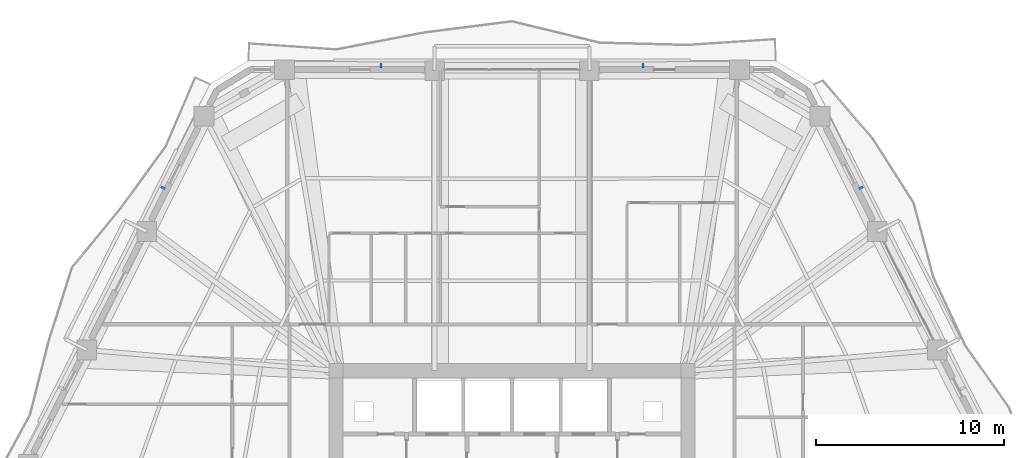
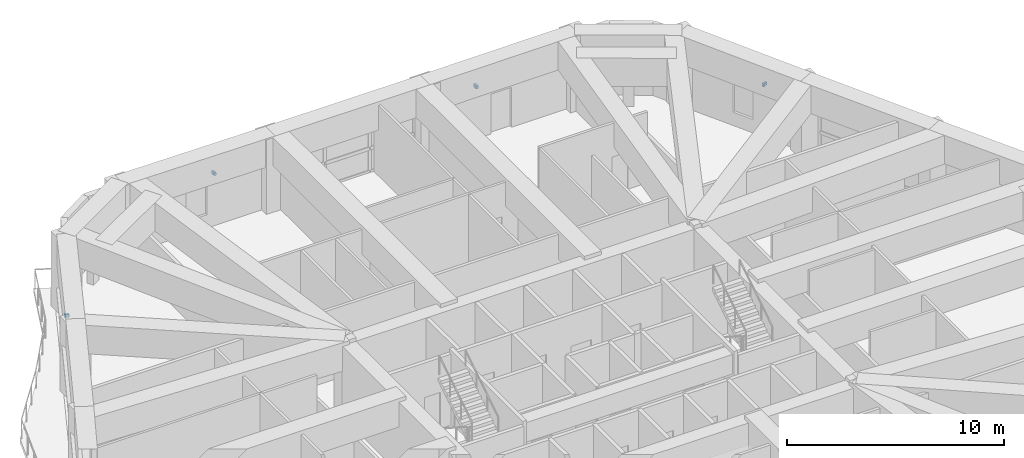
# One storey, part 19 of 23: 4 discrete accessories.
"""IFC4 building model written with IfcOpenShell, lengths in metres."""

from ifc_helpers import new_model, si_unit, direction, frame, origin, origin_2d, place, context, subcontext, project, spatial, rectangle, extrude, material, type_object, element, save


model = new_model("IFC4")

# Units and contexts
model_context = context("Model", 3, precision=1e-05, world=origin(), true_north=direction((0.0, 1.0)))
body_context = subcontext(model_context, "Body", "Model", "MODEL_VIEW")
ifc_project = project(units=[si_unit("LENGTHUNIT", "METRE"), si_unit("AREAUNIT", "SQUARE_METRE"), si_unit("VOLUMEUNIT", "CUBIC_METRE"), si_unit("PLANEANGLEUNIT", "RADIAN"), si_unit("MASSUNIT", "GRAM", prefix="KILO")], contexts=[model_context])

# Site, building, storey
site_placement = place(None, origin())
site = spatial("IfcSite", under=ifc_project, at=site_placement, CompositionType="ELEMENT")
building_placement = place(site_placement, origin())
building = spatial("IfcBuilding", under=site, at=building_placement, Name="Cinnabar Lancet Tower", CompositionType="ELEMENT")
storey_placement = place(building_placement, frame((0.0, 0.0, 94.199951171875)))
storey = spatial("IfcBuildingStorey", under=building, at=storey_placement, Name="L24", CompositionType="ELEMENT", Elevation=94.199951171875)

# Discrete accessories
ifc_material = material(Name="Stainless steel 316 facade fixing bracket", Category="steel")
discrete_accessory_type = type_object("IfcDiscreteAccessoryType", Name="ENV-ACC-BRK-180", PredefinedType="BRACKET", material=ifc_material)
for number, where, z_axis, x_axis, name in (
    (1, (50.986083984375, 43.014892578125, 2.60009765625), (0.0, 0.0, 1.0), (-0.451500573218, 0.892270829056, 0.0), "L24 Face 3 Sunshade Bracket B"),
    (2, (39.382080078125, 49.530029296875, 2.60009765625), (0.0, 0.0, 1.0), (-1.0, 0.0, 0.0), "L24 Face 4 Sunshade Bracket A"),
    (3, (25.41796875, 49.530029296875, 2.60009765625), (0.0, 0.0, 1.0), (-1.0, 0.0, 0.0), "L24 Face 4 Sunshade Bracket B"),
    (4, (13.81396484375, 43.014892578125, 2.60009765625), (0.0, 0.0, 1.0), (-0.451500573218, -0.892270829056, 0.0), "L24 Face 5 Sunshade Bracket A"),
):
    element("IfcDiscreteAccessory", number, at=place(storey_placement, frame(where, z_axis=z_axis, x_axis=x_axis)), inside=storey, type_object=discrete_accessory_type, Name=name, PredefinedType="BRACKET", context=body_context, shape_type="SweptSolid", body=[
        extrude(rectangle(XDim=0.1201171875, YDim=0.239990234375, at=origin_2d()), origin(), (0.0, 0.0, 1.0), 0.159912109375),
    ])

save(model, "model.ifc")
